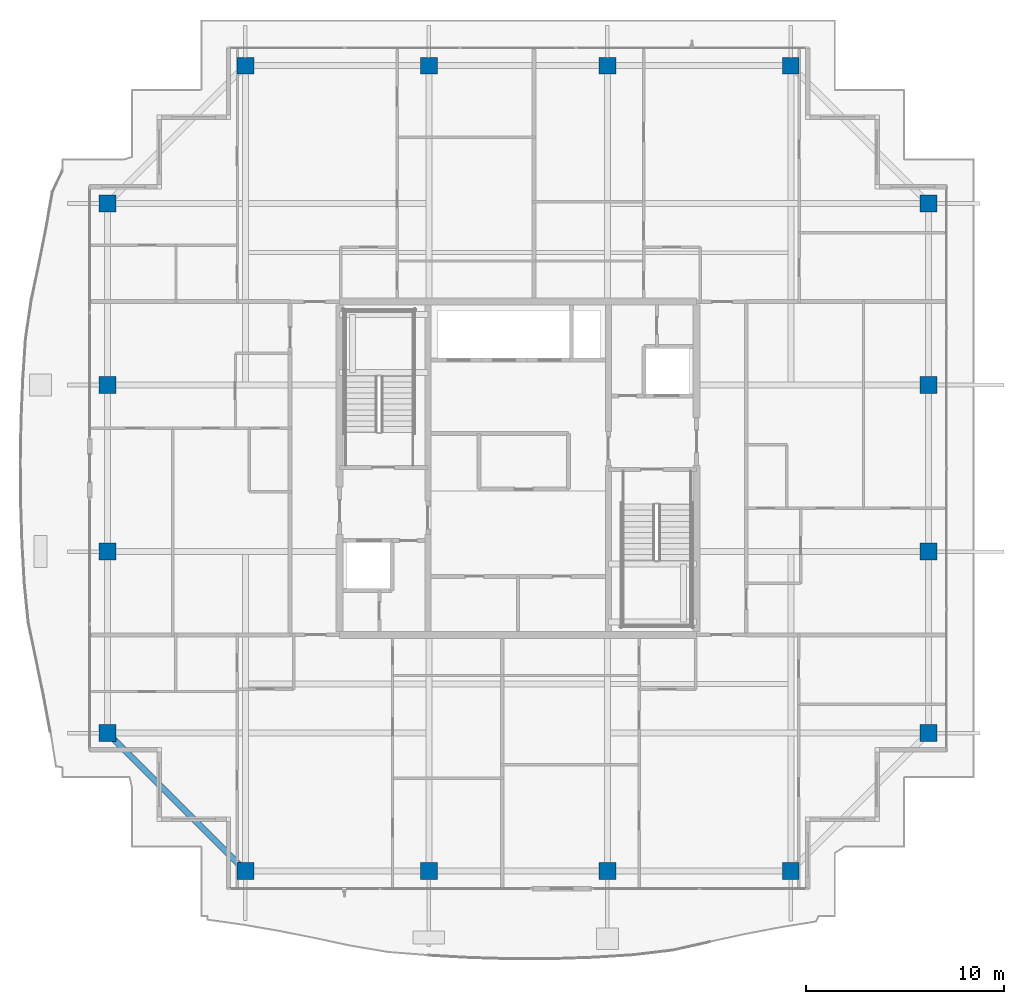
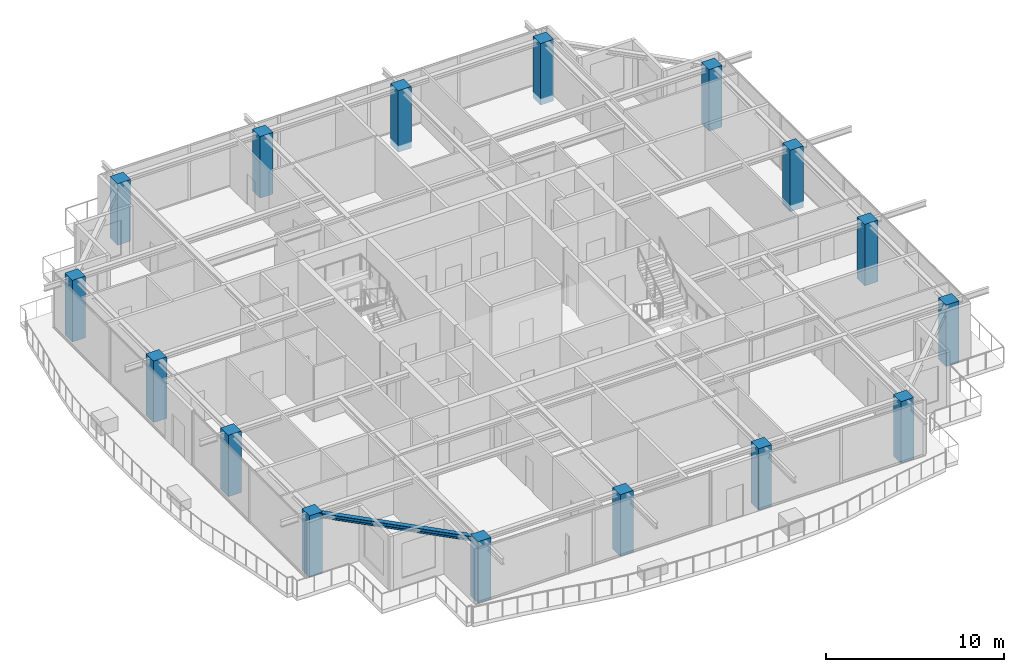
# One storey, part 1 of 36: 16 columns, 1 beam.
"""IFC4 building model written with IfcOpenShell, lengths in metres."""

from ifc_helpers import new_model, si_unit, direction, frame, origin, origin_2d, place, context, subcontext, project, spatial, rectangle, i_section, extrude, source, transform, mapped, material, material_profile, profile_set, type_object, element, save


model = new_model("IFC4")

# Units and contexts
model_context = context("Model", 3, precision=1e-05, world=origin(), true_north=direction((0.0, 1.0)))
body_context = subcontext(model_context, "Body", "Model", "MODEL_VIEW")
ifc_project = project(units=[si_unit("LENGTHUNIT", "METRE"), si_unit("AREAUNIT", "SQUARE_METRE"), si_unit("VOLUMEUNIT", "CUBIC_METRE"), si_unit("PLANEANGLEUNIT", "RADIAN"), si_unit("MASSUNIT", "GRAM", prefix="KILO")], contexts=[model_context])

# Site, building, storey
site_placement = place(None, origin())
site = spatial("IfcSite", under=ifc_project, at=site_placement, CompositionType="ELEMENT")
building_placement = place(site_placement, origin())
building = spatial("IfcBuilding", under=site, at=building_placement, Name="Serunith Strait Residences", CompositionType="ELEMENT")
storey_placement = place(building_placement, frame((0.0, 0.0, 338.0)))
storey = spatial("IfcBuildingStorey", under=building, at=storey_placement, Name="L84", CompositionType="ELEMENT", Elevation=338.0)

# Columns
ifc_material_1 = material(Name="Concrete C60/75", Category="concrete")
ifc_material_profile_1 = material_profile(ifc_material_1, rectangle(XDim=0.85009765625, YDim=0.85009765625, at=origin_2d()), Name="RC 850x850")
ifc_profile_set_1 = profile_set([ifc_material_profile_1], Name="Concrete C60/75")
column_type = type_object("IfcColumnType", Name="COL-RC-850", PredefinedType="COLUMN", material=ifc_profile_set_1)
shared_shape_1 = source(origin(), body_context, "Body", "SweptSolid", [
    extrude(rectangle(XDim=0.85009765625, YDim=0.85009765625, at=origin_2d()), origin(), (0.0, 0.0, 1.0), 4.22998046875),
])
for number, where, z_axis, x_axis, name in (
    (1, (18.64990234375, 4.89990234375, -0.43994140625), (0.0, 0.0, 1.0), (1.0, 0.0, 0.0), "L84 Tower Mega-Column TC-S1"),
    (2, (27.89990234375, 4.89990234375, -0.43994140625), (0.0, 0.0, 1.0), (1.0, 0.0, 0.0), "L84 Tower Mega-Column TC-S2"),
    (3, (36.89990234375, 4.89990234375, -0.43994140625), (0.0, 0.0, 1.0), (1.0, 0.0, 0.0), "L84 Tower Mega-Column TC-S3"),
    (4, (46.14990234375, 4.89990234375, -0.43994140625), (0.0, 0.0, 1.0), (1.0, 0.0, 0.0), "L84 Tower Mega-Column TC-S4"),
    (5, (18.64990234375, 45.5, -0.43994140625), (0.0, 0.0, 1.0), (1.0, 0.0, 0.0), "L84 Tower Mega-Column TC-N1"),
    (6, (27.89990234375, 45.5, -0.43994140625), (0.0, 0.0, 1.0), (1.0, 0.0, 0.0), "L84 Tower Mega-Column TC-N2"),
    (7, (36.89990234375, 45.5, -0.43994140625), (0.0, 0.0, 1.0), (1.0, 0.0, 0.0), "L84 Tower Mega-Column TC-N3"),
    (8, (46.14990234375, 45.5, -0.43994140625), (0.0, 0.0, 1.0), (1.0, 0.0, 0.0), "L84 Tower Mega-Column TC-N4"),
    (9, (53.10009765625, 11.85009765625, -0.43994140625), (0.0, 0.0, 1.0), (1.0, 0.0, 0.0), "L84 Tower Mega-Column TC-E1"),
    (10, (53.10009765625, 21.0, -0.43994140625), (0.0, 0.0, 1.0), (1.0, 0.0, 0.0), "L84 Tower Mega-Column TC-E2"),
    (11, (53.10009765625, 29.39990234375, -0.43994140625), (0.0, 0.0, 1.0), (1.0, 0.0, 0.0), "L84 Tower Mega-Column TC-E3"),
    (12, (53.10009765625, 38.550048828125, -0.43994140625), (0.0, 0.0, 1.0), (1.0, 0.0, 0.0), "L84 Tower Mega-Column TC-E4"),
    (13, (11.699951171875, 11.85009765625, -0.43994140625), (0.0, 0.0, 1.0), (1.0, 0.0, 0.0), "L84 Tower Mega-Column TC-W1"),
    (14, (11.699951171875, 21.0, -0.43994140625), (0.0, 0.0, 1.0), (1.0, 0.0, 0.0), "L84 Tower Mega-Column TC-W2"),
    (15, (11.699951171875, 29.39990234375, -0.43994140625), (0.0, 0.0, 1.0), (1.0, 0.0, 0.0), "L84 Tower Mega-Column TC-W3"),
    (16, (11.699951171875, 38.550048828125, -0.43994140625), (0.0, 0.0, 1.0), (1.0, 0.0, 0.0), "L84 Tower Mega-Column TC-W4"),
):
    element("IfcColumn", number, at=place(storey_placement, frame(where, z_axis=z_axis, x_axis=x_axis)), inside=storey, type_object=column_type, Name=name, PredefinedType="COLUMN", context=body_context, shape_type="MappedRepresentation", body=[
        mapped(shared_shape_1, transform((0.0, 0.0, 0.0), scale=1.0)),
    ])

# Beam
ifc_material_2 = material(Name="Steel S355J2", Category="steel")
ifc_material_profile_2 = material_profile(ifc_material_2, i_section(OverallWidth=0.300048828125, OverallDepth=0.320068359375, WebThickness=0.011474609375, FlangeThickness=0.0205078125, FilletRadius=0.027099609375, at=origin_2d()), Name="HEB 320")
ifc_profile_set_2 = profile_set([ifc_material_profile_2], Name="Steel S355J2")
beam_type = type_object("IfcBeamType", Name="BM-HEB320", PredefinedType="BEAM", material=ifc_profile_set_2)
shared_shape_2 = source(origin(), body_context, "Body", "SweptSolid", [
    extrude(i_section(OverallWidth=0.300048828125, OverallDepth=0.320068359375, WebThickness=0.011474609375, FlangeThickness=0.0205078125, FilletRadius=0.027099609375, at=origin_2d()), origin(), (0.0, 0.0, 1.0), 9.828857421875),
])
beam_placement = place(storey_placement, frame((11.699951171875, 11.85009765625, 3.596923828125), z_axis=(0.707094361533, -0.707119200622, 0.0), x_axis=(0.707119200622, 0.707094361533, 0.0)))
element("IfcBeam", 17, at=beam_placement, inside=storey, type_object=beam_type, Name="L84 Perimeter Ring Beam 16", PredefinedType="BEAM", context=body_context, shape_type="MappedRepresentation", body=[
    mapped(shared_shape_2, transform((0.0, 0.0, 0.0), scale=1.0)),
])

save(model, "model.ifc")
